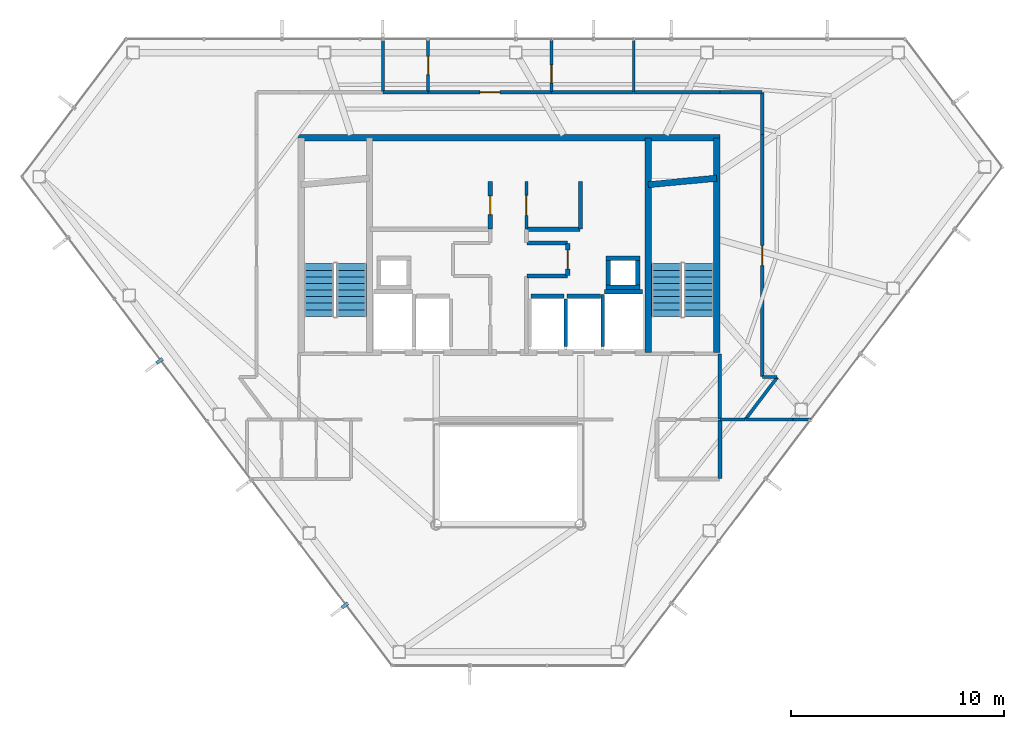
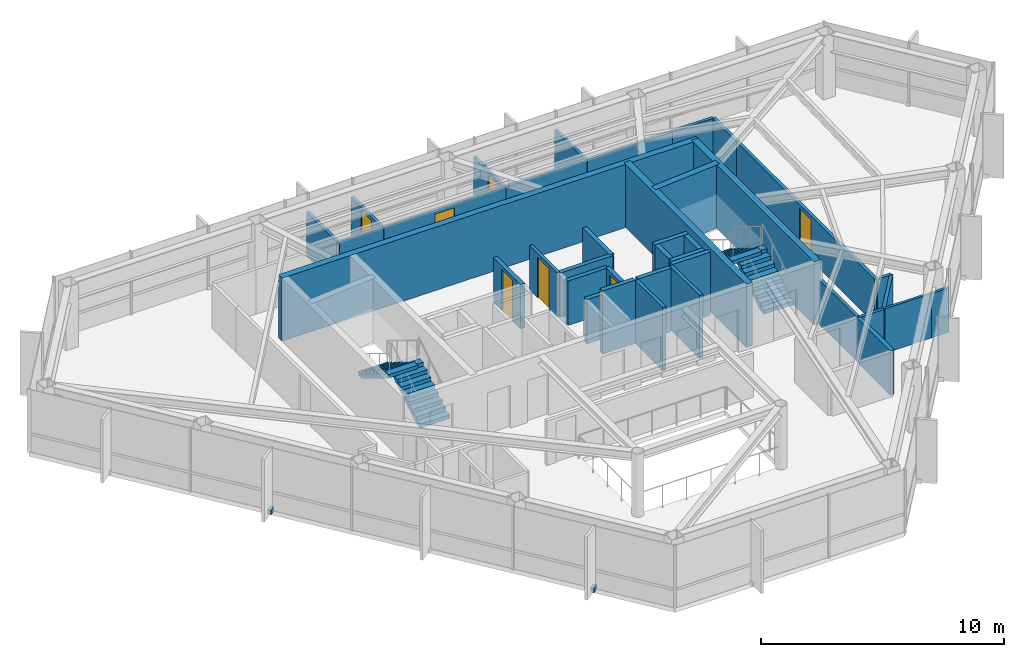
# One storey, part 23 of 25: 38 walls, 7 doors, 4 stair flights, 2 discrete accessories, 7 openings, 2 elements without a shape of their own.
"""IFC4 building model written with IfcOpenShell, lengths in metres."""

from ifc_helpers import new_model, si_unit, direction, frame, frame_2d, origin, origin_2d, place, context, subcontext, project, spatial, polyline, rectangle, outline, extrude, material, layer, layer_set, type_object, element, fill, aggregate, save


model = new_model("IFC4")

# Units and contexts
model_context = context("Model", 3, precision=1e-05, world=origin(), true_north=direction((0.0, 1.0)))
body_context = subcontext(model_context, "Body", "Model", "MODEL_VIEW")
ifc_project = project(units=[si_unit("LENGTHUNIT", "METRE"), si_unit("AREAUNIT", "SQUARE_METRE"), si_unit("VOLUMEUNIT", "CUBIC_METRE"), si_unit("PLANEANGLEUNIT", "RADIAN"), si_unit("MASSUNIT", "GRAM", prefix="KILO")], contexts=[model_context])

# Site, building, storey
site_placement = place(None, origin())
site = spatial("IfcSite", under=ifc_project, at=site_placement, CompositionType="ELEMENT")
building_placement = place(site_placement, origin())
building = spatial("IfcBuilding", under=site, at=building_placement, Name="Zarrinselat Tower", CompositionType="ELEMENT")
storey_placement = place(building_placement, frame((0.0, 0.0, 242.760009765625)))
storey = spatial("IfcBuildingStorey", under=building, at=storey_placement, Name="L61", CompositionType="ELEMENT", Elevation=242.760009765625)

# Wall
ifc_material_1 = material(Name="Concrete C40/50", Category="concrete")
ifc_layer_1 = layer(ifc_material_1, 0.18994140625)
ifc_layer_set_1 = layer_set([ifc_layer_1], Name="Concrete C40/50")
wall_type_1 = type_object("IfcWallType", Name="WAL-PART-EI120", PredefinedType="PARTITIONING", material=ifc_layer_set_1)
wall_1_placement = place(storey_placement, frame((48.35009765625, 27.3701171875, 0.0), z_axis=(0.0, 0.0, 1.0), x_axis=(0.0, 1.0, 0.0)))
element("IfcWall", 1, at=wall_1_placement, inside=storey, type_object=wall_type_1, Name="L61 Partition Wall 25", PredefinedType="PARTITIONING", context=body_context, shape_type="SweptSolid", body=[
    extrude(rectangle(XDim=2.759765625, YDim=0.18994140625, at=frame_2d((1.3798828125, 0.0))), origin(), (0.0, 0.0, 1.0), 2.235107421875),
])

# Wall, opening, door
ifc_material_2 = material(Name="Fire-Rated Gypsum Board Partition", Category="gypsum")
ifc_layer_2 = layer(ifc_material_2, 0.14990234375)
ifc_layer_set_2 = layer_set([ifc_layer_2], Name="Fire-Rated Gypsum Board Partition")
wall_type_2 = type_object("IfcWallType", Name="WAL-PART-EI60", PredefinedType="PARTITIONING", material=ifc_layer_set_2)
wall_2_placement = place(storey_placement, frame((39.25, 39.10498046875, 0.0), z_axis=(0.0, 0.0, 1.0), x_axis=(0.0, 1.0, 0.0)))
wall_2 = element("IfcWall", 2, at=wall_2_placement, inside=storey, type_object=wall_type_2, Name="L61 Partition Wall 12", PredefinedType="PARTITIONING", context=body_context, shape_type="SweptSolid", body=[
    extrude(rectangle(XDim=2.2451171875, YDim=0.14990234375, at=frame_2d((1.12255859375, 0.0))), origin(), (0.0, 0.0, 1.0), 2.235107421875),
])
opening_1_placement = place(wall_2_placement, frame((0.652587890625, 0.0, 0.0)))
opening_1 = element("IfcOpeningElement", 3, at=opening_1_placement, cuts=wall_2, Name="Opening ID-04", PredefinedType="OPENING", context=body_context, shape_type="SweptSolid", body=[
    extrude(rectangle(XDim=0.93994140625, YDim=2.050048828125, at=frame_2d((0.469970703125, 1.02490234375))), frame((0.0, 0.0849609375, 0.0), z_axis=(0.0, -1.0, 0.0), x_axis=(1.0, 0.0, 0.0)), (0.0, 0.0, 1.0), 0.169921875),
])
ifc_material_3 = material(Name="Fire-Rated Gypsum Board Partition")
door_type_1 = type_object("IfcDoorType", Name="DR-INT-FD30-ENT", OperationType="NOTDEFINED", PredefinedType="DOOR", material=ifc_material_3)
door_1_placement = place(opening_1_placement, origin())
door_1 = element("IfcDoor", 4, at=door_1_placement, inside=storey, type_object=door_type_1, Name="L61 Interior Door P12", OperationType="SINGLE_SWING_RIGHT", OverallHeight=2.050048828125, OverallWidth=0.93994140625, PredefinedType="DOOR", context=body_context, shape_type="SweptSolid", body=[
    extrude(rectangle(XDim=0.93994140625, YDim=2.050048828125, at=frame_2d((0.469970703125, 1.02490234375))), frame((0.0, 0.02490234375, 0.0), z_axis=(0.0, -1.0, 0.0), x_axis=(1.0, 0.0, 0.0)), (0.0, 0.0, 1.0), 0.050048828125),
])
fill(opening_1, door_1)

# Walls
wall_3_placement = place(storey_placement, frame((48.35009765625, 30.169921875, 0.0), z_axis=(0.0, 0.0, 1.0), x_axis=(0.0, 1.0, 0.0)))
element("IfcWall", 5, at=wall_3_placement, inside=storey, type_object=wall_type_2, Name="L61 Partition Wall 18", PredefinedType="PARTITIONING", context=body_context, shape_type="SweptSolid", body=[
    extrude(rectangle(XDim=3.06005859375, YDim=0.14990234375, at=frame_2d((1.530029296875, 0.0))), origin(), (0.0, 0.0, 1.0), 2.235107421875),
])
wall_4_placement = place(storey_placement, frame((48.3701171875, 30.14990234375, 0.0), z_axis=(0.0, 0.0, 1.0), x_axis=(1.0, 0.0, 0.0)))
element("IfcWall", 6, at=wall_4_placement, inside=storey, type_object=wall_type_2, Name="L61 Partition Wall 28", PredefinedType="PARTITIONING", context=body_context, shape_type="SweptSolid", body=[
    extrude(rectangle(XDim=1.16015625, YDim=0.14990234375, at=frame_2d((0.580078125, 0.0))), origin(), (0.0, 0.0, 1.0), 2.235107421875),
])
wall_5_placement = place(storey_placement, frame((44.304931640625, 45.550048828125, 0.0), z_axis=(0.0, 0.0, 1.0), x_axis=(1.0, 0.0, 0.0)))
element("IfcWall", 7, at=wall_5_placement, inside=storey, type_object=wall_type_2, Name="L61 Partition Wall 35", PredefinedType="PARTITIONING", context=body_context, shape_type="SweptSolid", body=[
    extrude(rectangle(XDim=4.045166015625, YDim=0.14990234375, at=frame_2d((2.0224609375, 0.0))), origin(), (0.0, 0.0, 1.0), 2.235107421875),
])
for number, where, z_axis, x_axis, name in (
    (8, (48.35009765625, 45.550048828125, 0.0), (0.0, 0.0, 1.0), (1.0, 0.0, 0.0), "L61 Partition Wall 36"),
    (9, (50.35009765625, 43.550048828125, 0.0), (0.0, 0.0, 1.0), (0.0, 1.0, 0.0), "L61 Partition Wall 37"),
):
    element("IfcWall", number, at=place(storey_placement, frame(where, z_axis=z_axis, x_axis=x_axis)), inside=storey, type_object=wall_type_2, Name=name, PredefinedType="PARTITIONING", context=body_context, shape_type="SweptSolid", body=[
        extrude(rectangle(XDim=1.97998046875, YDim=0.14990234375, at=frame_2d((0.989990234375, 0.0))), origin(), (0.0, 0.0, 1.0), 2.235107421875),
    ])

# Wall, opening, door
wall_6_placement = place(storey_placement, frame((50.35009765625, 32.169921875, 0.0), z_axis=(0.0, 0.0, 1.0), x_axis=(0.0, 1.0, 0.0)))
wall_6 = element("IfcWall", 10, at=wall_6_placement, inside=storey, type_object=wall_type_2, Name="L61 Partition Wall 38", PredefinedType="PARTITIONING", context=body_context, shape_type="SweptSolid", body=[
    extrude(rectangle(XDim=11.380126953125, YDim=0.14990234375, at=frame_2d((5.68994140625, 0.0))), origin(), (0.0, 0.0, 1.0), 2.235107421875),
])
opening_2_placement = place(wall_6_placement, frame((5.219970703125, 0.0, 0.0)))
opening_2 = element("IfcOpeningElement", 11, at=opening_2_placement, cuts=wall_6, Name="Opening ID-04", PredefinedType="OPENING", context=body_context, shape_type="SweptSolid", body=[
    extrude(rectangle(XDim=0.93994140625, YDim=2.050048828125, at=frame_2d((0.469970703125, 1.02490234375))), frame((0.0, 0.0849609375, 0.0), z_axis=(0.0, -1.0, 0.0), x_axis=(1.0, 0.0, 0.0)), (0.0, 0.0, 1.0), 0.169921875),
])
door_2_placement = place(opening_2_placement, origin())
door_2 = element("IfcDoor", 12, at=door_2_placement, inside=storey, type_object=door_type_1, Name="L61 Interior Door P38", OperationType="SINGLE_SWING_RIGHT", OverallHeight=2.050048828125, OverallWidth=0.93994140625, PredefinedType="DOOR", context=body_context, shape_type="SweptSolid", body=[
    extrude(rectangle(XDim=0.93994140625, YDim=2.050048828125, at=frame_2d((0.469970703125, 1.02490234375))), frame((0.0, 0.02490234375, 0.0), z_axis=(0.0, -1.0, 0.0), x_axis=(1.0, 0.0, 0.0)), (0.0, 0.0, 1.0), 0.050048828125),
])
fill(opening_2, door_2)

# Walls
wall_7_placement = place(storey_placement, frame((50.3701171875, 32.14990234375, 0.0), z_axis=(0.0, 0.0, 1.0), x_axis=(1.0, 0.0, 0.0)))
element("IfcWall", 13, at=wall_7_placement, inside=storey, type_object=wall_type_2, Name="L61 Partition Wall 39", PredefinedType="PARTITIONING", context=body_context, shape_type="SweptSolid", body=[
    extrude(rectangle(XDim=0.67529296875, YDim=0.14990234375, at=frame_2d((0.337646484375, 0.0))), origin(), (0.0, 0.0, 1.0), 2.235107421875),
])
wall_8_placement = place(storey_placement, frame((49.5625, 30.166015625, 0.0), z_axis=(0.0, 0.0, 1.0), x_axis=(0.603806281462, 0.797131089889, 0.0)))
element("IfcWall", 14, at=wall_8_placement, inside=storey, type_object=wall_type_2, Name="L61 Partition Wall 40", PredefinedType="PARTITIONING", context=body_context, shape_type="SweptSolid", body=[
    extrude(rectangle(XDim=2.468994140625, YDim=0.14990234375, at=frame_2d((1.234375, 0.0))), origin(), (0.0, 0.0, 1.0), 2.235107421875),
])

# Wall, opening, door
wall_9_placement = place(storey_placement, frame((34.62890625, 45.550048828125, 0.0), z_axis=(0.0, 0.0, 1.0), x_axis=(1.0, 0.0, 0.0)))
wall_9 = element("IfcWall", 15, at=wall_9_placement, inside=storey, type_object=wall_type_2, Name="L61 Partition Wall 41", PredefinedType="PARTITIONING", context=body_context, shape_type="SweptSolid", body=[
    extrude(rectangle(XDim=5.795654296875, YDim=0.14990234375, at=frame_2d((2.89794921875, 0.0))), origin(), (0.0, 0.0, 1.0), 2.235107421875),
])
opening_3_placement = place(wall_9_placement, frame((2.427734375, 0.0, 0.0)))
opening_3 = element("IfcOpeningElement", 16, at=opening_3_placement, cuts=wall_9, Name="Opening ID-04", PredefinedType="OPENING", context=body_context, shape_type="SweptSolid", body=[
    extrude(rectangle(XDim=0.93994140625, YDim=2.050048828125, at=frame_2d((0.469970703125, 1.02490234375))), frame((0.0, 0.0849609375, 0.0), z_axis=(0.0, -1.0, 0.0), x_axis=(1.0, 0.0, 0.0)), (0.0, 0.0, 1.0), 0.169921875),
])
door_3_placement = place(opening_3_placement, origin())
door_3 = element("IfcDoor", 17, at=door_3_placement, inside=storey, type_object=door_type_1, Name="L61 Interior Door P41", OperationType="SINGLE_SWING_LEFT", OverallHeight=2.050048828125, OverallWidth=0.93994140625, PredefinedType="DOOR", context=body_context, shape_type="SweptSolid", body=[
    extrude(rectangle(XDim=0.93994140625, YDim=2.050048828125, at=frame_2d((0.469970703125, 1.02490234375))), frame((0.0, 0.02490234375, 0.0), z_axis=(0.0, -1.0, 0.0), x_axis=(1.0, 0.0, 0.0)), (0.0, 0.0, 1.0), 0.050048828125),
])
fill(opening_3, door_3)

# Walls
wall_10_placement = place(storey_placement, frame((40.4345703125, 45.550048828125, 0.0), z_axis=(0.0, 0.0, 1.0), x_axis=(1.0, 0.0, 0.0)))
element("IfcWall", 18, at=wall_10_placement, inside=storey, type_object=wall_type_2, Name="L61 Partition Wall 42", PredefinedType="PARTITIONING", context=body_context, shape_type="SweptSolid", body=[
    extrude(rectangle(XDim=3.8603515625, YDim=0.14990234375, at=frame_2d((1.93017578125, 0.0))), origin(), (0.0, 0.0, 1.0), 2.235107421875),
])
wall_11_placement = place(storey_placement, frame((32.5048828125, 45.550048828125, 0.0), z_axis=(0.0, 0.0, 1.0), x_axis=(1.0, 0.0, 0.0)))
element("IfcWall", 19, at=wall_11_placement, inside=storey, type_object=wall_type_2, Name="L61 Partition Wall 43", PredefinedType="PARTITIONING", context=body_context, shape_type="SweptSolid", body=[
    extrude(rectangle(XDim=2.114013671875, YDim=0.14990234375, at=frame_2d((1.05712890625, 0.0))), origin(), (0.0, 0.0, 1.0), 2.235107421875),
])

# Wall, opening, door
ifc_material_4 = material(Name="Concrete C40/50", Category="concrete")
ifc_layer_3 = layer(ifc_material_4, 0.199951171875)
ifc_layer_set_3 = layer_set([ifc_layer_3], Name="Concrete C40/50")
wall_type_3 = type_object("IfcWallType", Name="WAL-PART-PLANT", PredefinedType="PARTITIONING", material=ifc_layer_set_3)
wall_12_placement = place(storey_placement, frame((37.550048828125, 39.10498046875, 0.0), z_axis=(0.0, 0.0, 1.0), x_axis=(0.0, 1.0, 0.0)))
wall_12 = element("IfcWall", 20, at=wall_12_placement, inside=storey, type_object=wall_type_3, Name="L61 Partition Wall 6", PredefinedType="PARTITIONING", context=body_context, shape_type="SweptSolid", body=[
    extrude(rectangle(XDim=2.2451171875, YDim=0.199951171875, at=frame_2d((1.12255859375, 0.0))), origin(), (0.0, 0.0, 1.0), 2.235107421875),
])
opening_4_placement = place(wall_12_placement, frame((0.6826171875, 0.0, 0.0)))
opening_4 = element("IfcOpeningElement", 21, at=opening_4_placement, cuts=wall_12, Name="Opening ID-03", PredefinedType="OPENING", context=body_context, shape_type="SweptSolid", body=[
    extrude(rectangle(XDim=0.8798828125, YDim=2.050048828125, at=frame_2d((0.43994140625, 1.02490234375))), frame((0.0, 0.10986328125, 0.0), z_axis=(0.0, -1.0, 0.0), x_axis=(1.0, 0.0, 0.0)), (0.0, 0.0, 1.0), 0.219970703125),
])
ifc_material_5 = material(Name="Steel S355J2", Category="steel")
door_type_2 = type_object("IfcDoorType", Name="DR-INT-FD60-S", OperationType="NOTDEFINED", PredefinedType="DOOR", material=ifc_material_5)
door_4_placement = place(opening_4_placement, origin())
door_4 = element("IfcDoor", 22, at=door_4_placement, inside=storey, type_object=door_type_2, Name="L61 Interior Door P6", OperationType="SINGLE_SWING_RIGHT", OverallHeight=2.050048828125, OverallWidth=0.8798828125, PredefinedType="DOOR", context=body_context, shape_type="SweptSolid", body=[
    extrude(rectangle(XDim=0.8798828125, YDim=2.050048828125, at=frame_2d((0.43994140625, 1.02490234375))), frame((0.0, 0.02490234375, 0.0), z_axis=(0.0, -1.0, 0.0), x_axis=(1.0, 0.0, 0.0)), (0.0, 0.0, 1.0), 0.050048828125),
])
fill(opening_4, door_4)

# Wall
wall_13_placement = place(storey_placement, frame((39.27001953125, 38.449951171875, 0.0), z_axis=(0.0, 0.0, 1.0), x_axis=(1.0, 0.0, 0.0)))
element("IfcWall", 23, at=wall_13_placement, inside=storey, type_object=wall_type_3, Name="L61 Partition Wall 8", PredefinedType="PARTITIONING", context=body_context, shape_type="SweptSolid", body=[
    extrude(rectangle(XDim=1.909912109375, YDim=0.199951171875, at=frame_2d((0.955078125, 0.0))), origin(), (0.0, 0.0, 1.0), 2.235107421875),
])

# Wall, opening, door
wall_14_placement = place(storey_placement, frame((41.199951171875, 36.919921875, 0.0), z_axis=(0.0, 0.0, 1.0), x_axis=(0.0, 1.0, 0.0)))
wall_14 = element("IfcWall", 24, at=wall_14_placement, inside=storey, type_object=wall_type_3, Name="L61 Partition Wall 9", PredefinedType="PARTITIONING", context=body_context, shape_type="SweptSolid", body=[
    extrude(rectangle(XDim=1.510009765625, YDim=0.199951171875, at=frame_2d((0.7548828125, 0.0))), origin(), (0.0, 0.0, 1.0), 2.235107421875),
])
opening_5_placement = place(wall_14_placement, frame((0.31494140625, 0.0, 0.0)))
opening_5 = element("IfcOpeningElement", 25, at=opening_5_placement, cuts=wall_14, Name="Opening ID-03", PredefinedType="OPENING", context=body_context, shape_type="SweptSolid", body=[
    extrude(rectangle(XDim=0.8798828125, YDim=2.050048828125, at=frame_2d((0.43994140625, 1.02490234375))), frame((0.0, 0.10986328125, 0.0), z_axis=(0.0, -1.0, 0.0), x_axis=(1.0, 0.0, 0.0)), (0.0, 0.0, 1.0), 0.219970703125),
])
door_5_placement = place(opening_5_placement, origin())
door_5 = element("IfcDoor", 26, at=door_5_placement, inside=storey, type_object=door_type_2, Name="L61 Interior Door P9", OperationType="SINGLE_SWING_LEFT", OverallHeight=2.050048828125, OverallWidth=0.8798828125, PredefinedType="DOOR", context=body_context, shape_type="SweptSolid", body=[
    extrude(rectangle(XDim=0.8798828125, YDim=2.050048828125, at=frame_2d((0.43994140625, 1.02490234375))), frame((0.0, 0.02490234375, 0.0), z_axis=(0.0, -1.0, 0.0), x_axis=(1.0, 0.0, 0.0)), (0.0, 0.0, 1.0), 0.050048828125),
])
fill(opening_5, door_5)

# Walls
wall_15_placement = place(storey_placement, frame((39.27001953125, 36.89990234375, 0.0), z_axis=(0.0, 0.0, 1.0), x_axis=(1.0, 0.0, 0.0)))
element("IfcWall", 27, at=wall_15_placement, inside=storey, type_object=wall_type_3, Name="L61 Partition Wall 10", PredefinedType="PARTITIONING", context=body_context, shape_type="SweptSolid", body=[
    extrude(rectangle(XDim=1.909912109375, YDim=0.199951171875, at=frame_2d((0.955078125, 0.0))), origin(), (0.0, 0.0, 1.0), 2.235107421875),
])
wall_16_placement = place(storey_placement, frame((39.27001953125, 39.10009765625, 0.0), z_axis=(0.0, 0.0, 1.0), x_axis=(1.0, 0.0, 0.0)))
element("IfcWall", 28, at=wall_16_placement, inside=storey, type_object=wall_type_3, Name="L61 Partition Wall 14", PredefinedType="PARTITIONING", context=body_context, shape_type="SweptSolid", body=[
    extrude(rectangle(XDim=2.510009765625, YDim=0.199951171875, at=frame_2d((1.2548828125, 0.0))), origin(), (0.0, 0.0, 1.0), 2.235107421875),
])
wall_17_placement = place(storey_placement, frame((41.800048828125, 39.1201171875, 0.0), z_axis=(0.0, 0.0, 1.0), x_axis=(0.0, 1.0, 0.0)))
element("IfcWall", 29, at=wall_17_placement, inside=storey, type_object=wall_type_3, Name="L61 Partition Wall 15", PredefinedType="PARTITIONING", context=body_context, shape_type="SweptSolid", body=[
    extrude(rectangle(XDim=2.22998046875, YDim=0.199951171875, at=frame_2d((1.114990234375, 0.0))), origin(), (0.0, 0.0, 1.0), 2.235107421875),
])
ifc_material_6 = material(Name="Fire-Rated Gypsum Board Partition", Category="gypsum")
ifc_layer_4 = layer(ifc_material_6, 0.1201171875)
ifc_layer_set_4 = layer_set([ifc_layer_4], Name="Fire-Rated Gypsum Board Partition")
wall_type_4 = type_object("IfcWallType", Name="WAL-PART-STD", PredefinedType="PARTITIONING", material=ifc_layer_set_4)
wall_18_placement = place(storey_placement, frame((49.5703125, 30.14990234375, 0.0), z_axis=(0.0, 0.0, 1.0), x_axis=(1.0, 0.0, 0.0)))
element("IfcWall", 30, at=wall_18_placement, inside=storey, type_object=wall_type_4, Name="L61 Partition Wall 52", PredefinedType="PARTITIONING", context=body_context, shape_type="SweptSolid", body=[
    extrude(rectangle(XDim=2.229736328125, YDim=0.1201171875, at=frame_2d((1.11474609375, 0.0))), origin(), (0.0, 0.0, 1.0), 2.235107421875),
])
wall_19_placement = place(storey_placement, frame((51.800048828125, 30.14990234375, 0.0), z_axis=(0.0, 0.0, 1.0), x_axis=(1.0, 0.0, 0.0)))
element("IfcWall", 31, at=wall_19_placement, inside=storey, type_object=wall_type_4, Name="L61 Partition Wall 53", PredefinedType="PARTITIONING", context=body_context, shape_type="SweptSolid", body=[
    extrude(rectangle(XDim=0.821533203125, YDim=0.1201171875, at=frame_2d((0.41064453125, 0.0))), origin(), (0.0, 0.0, 1.0), 2.235107421875),
])
ifc_material_7 = material(Name="Fire-Rated Gypsum Board Partition", Category="gypsum")
ifc_layer_5 = layer(ifc_material_7, 0.135009765625)
ifc_layer_set_5 = layer_set([ifc_layer_5], Name="Fire-Rated Gypsum Board Partition")
wall_type_5 = type_object("IfcWallType", Name="WAL-PART-WET", PredefinedType="PARTITIONING", material=ifc_layer_set_5)
for number, where, z_axis, x_axis, name in (
    (32, (32.5, 45.570068359375, 0.0), (0.0, 0.0, 1.0), (0.0, 1.0, 0.0), "L61 Partition Wall 54"),
    (33, (44.300048828125, 45.570068359375, 0.0), (0.0, 0.0, 1.0), (0.0, 1.0, 0.0), "L61 Partition Wall 55"),
):
    element("IfcWall", number, at=place(storey_placement, frame(where, z_axis=z_axis, x_axis=x_axis)), inside=storey, type_object=wall_type_5, Name=name, PredefinedType="PARTITIONING", context=body_context, shape_type="SweptSolid", body=[
        extrude(rectangle(XDim=2.47607421875, YDim=0.135009765625, at=frame_2d((1.238037109375, 0.0))), origin(), (0.0, 0.0, 1.0), 2.235107421875),
    ])

# Wall, opening, door
wall_20_placement = place(storey_placement, frame((40.4296875, 45.570068359375, 0.0), z_axis=(0.0, 0.0, 1.0), x_axis=(0.0, 1.0, 0.0)))
wall_20 = element("IfcWall", 34, at=wall_20_placement, inside=storey, type_object=wall_type_5, Name="L61 Partition Wall 56", PredefinedType="PARTITIONING", context=body_context, shape_type="SweptSolid", body=[
    extrude(rectangle(XDim=2.47607421875, YDim=0.135009765625, at=frame_2d((1.238037109375, 0.0))), origin(), (0.0, 0.0, 1.0), 2.235107421875),
])
opening_6_placement = place(wall_20_placement, frame((0.408203125, 0.0, 0.0)))
opening_6 = element("IfcOpeningElement", 35, at=opening_6_placement, cuts=wall_20, Name="Opening ID-06", PredefinedType="OPENING", context=body_context, shape_type="SweptSolid", body=[
    extrude(rectangle(XDim=0.860107421875, YDim=2.050048828125, at=frame_2d((0.43017578125, 1.02490234375))), frame((0.0, 0.077392578125, 0.0), z_axis=(0.0, -1.0, 0.0), x_axis=(1.0, 0.0, 0.0)), (0.0, 0.0, 1.0), 0.155029296875),
])
ifc_material_8 = material(Name="Extruded Aluminium Alloy EN AW-6063 T6", Category="aluminium")
door_type_3 = type_object("IfcDoorType", Name="DR-INT-WET-900", OperationType="NOTDEFINED", PredefinedType="DOOR", material=ifc_material_8)
door_6_placement = place(opening_6_placement, origin())
door_6 = element("IfcDoor", 36, at=door_6_placement, inside=storey, type_object=door_type_3, Name="L61 Interior Door P56", OperationType="SINGLE_SWING_RIGHT", OverallHeight=2.050048828125, OverallWidth=0.860107421875, PredefinedType="DOOR", context=body_context, shape_type="SweptSolid", body=[
    extrude(rectangle(XDim=0.860107421875, YDim=2.050048828125, at=frame_2d((0.43017578125, 1.02490234375))), frame((0.0, 0.02490234375, 0.0), z_axis=(0.0, -1.0, 0.0), x_axis=(1.0, 0.0, 0.0)), (0.0, 0.0, 1.0), 0.050048828125),
])
fill(opening_6, door_6)

wall_21_placement = place(storey_placement, frame((34.6240234375, 45.570068359375, 0.0), z_axis=(0.0, 0.0, 1.0), x_axis=(0.0, 1.0, 0.0)))
wall_21 = element("IfcWall", 37, at=wall_21_placement, inside=storey, type_object=wall_type_5, Name="L61 Partition Wall 57", PredefinedType="PARTITIONING", context=body_context, shape_type="SweptSolid", body=[
    extrude(rectangle(XDim=2.47607421875, YDim=0.135009765625, at=frame_2d((1.238037109375, 0.0))), origin(), (0.0, 0.0, 1.0), 2.235107421875),
])
opening_7_placement = place(wall_21_placement, frame((0.80810546875, 0.0, 0.0)))
opening_7 = element("IfcOpeningElement", 38, at=opening_7_placement, cuts=wall_21, Name="Opening ID-06", PredefinedType="OPENING", context=body_context, shape_type="SweptSolid", body=[
    extrude(rectangle(XDim=0.860107421875, YDim=2.050048828125, at=frame_2d((0.43017578125, 1.02490234375))), frame((0.0, 0.077392578125, 0.0), z_axis=(0.0, -1.0, 0.0), x_axis=(1.0, 0.0, 0.0)), (0.0, 0.0, 1.0), 0.155029296875),
])
door_7_placement = place(opening_7_placement, origin())
door_7 = element("IfcDoor", 39, at=door_7_placement, inside=storey, type_object=door_type_3, Name="L61 Interior Door P57", OperationType="SINGLE_SWING_LEFT", OverallHeight=2.050048828125, OverallWidth=0.860107421875, PredefinedType="DOOR", context=body_context, shape_type="SweptSolid", body=[
    extrude(rectangle(XDim=0.860107421875, YDim=2.050048828125, at=frame_2d((0.43017578125, 1.02490234375))), frame((0.0, 0.02490234375, 0.0), z_axis=(0.0, -1.0, 0.0), x_axis=(1.0, 0.0, 0.0)), (0.0, 0.0, 1.0), 0.050048828125),
])
fill(opening_7, door_7)

# Walls
ifc_material_9 = material(Name="Concrete C40/50", Category="concrete")
ifc_layer_6 = layer(ifc_material_9, 0.2099609375)
ifc_layer_set_6 = layer_set([ifc_layer_6], Name="Concrete C40/50")
wall_type_6 = type_object("IfcWallType", Name="WAL-SHAFT-210", PredefinedType="SOLIDWALL", material=ifc_layer_set_6)
wall_22_placement = place(storey_placement, frame((42.919921875, 36.155029296875, 0.0), z_axis=(0.0, 0.0, 1.0), x_axis=(1.0, 0.0, 0.0)))
element("IfcWall", 40, at=wall_22_placement, inside=storey, type_object=wall_type_6, Name="L61 Lift FFL2 North Shaft Wall", PredefinedType="SOLIDWALL", context=body_context, shape_type="SweptSolid", body=[
    extrude(rectangle(XDim=1.800048828125, YDim=0.2099609375, at=frame_2d((0.89990234375, 0.0))), origin(), (0.0, 0.0, 1.0), 3.179931640625),
])
wall_23_placement = place(storey_placement, frame((42.85009765625, 33.580078125, 0.0), z_axis=(0.0, 0.0, 1.0), x_axis=(0.0, 1.0, 0.0)))
element("IfcWall", 41, at=wall_23_placement, inside=storey, type_object=wall_type_6, Name="L61 Lift FFL2 W Shaft Wall", PredefinedType="SOLIDWALL", context=body_context, shape_type="SweptSolid", body=[
    extrude(rectangle(XDim=2.449951171875, YDim=0.159912109375, at=frame_2d((1.22509765625, 0.0))), origin(), (0.0, 0.0, 1.0), 3.179931640625),
])
wall_24_placement = place(storey_placement, frame((39.469970703125, 35.955078125, 0.0), z_axis=(0.0, 0.0, 1.0), x_axis=(1.0, 0.0, 0.0)))
element("IfcWall", 42, at=wall_24_placement, inside=storey, type_object=wall_type_6, Name="L61 Lift PL8 North Shaft Wall", PredefinedType="SOLIDWALL", context=body_context, shape_type="SweptSolid", body=[
    extrude(rectangle(XDim=1.56005859375, YDim=0.2099609375, at=frame_2d((0.780029296875, 0.0))), origin(), (0.0, 0.0, 1.0), 3.179931640625),
])
wall_25_placement = place(storey_placement, frame((41.10009765625, 33.580078125, 0.0), z_axis=(0.0, 0.0, 1.0), x_axis=(0.0, 1.0, 0.0)))
element("IfcWall", 43, at=wall_25_placement, inside=storey, type_object=wall_type_6, Name="L61 Lift PL8 E Shaft Wall", PredefinedType="SOLIDWALL", context=body_context, shape_type="SweptSolid", body=[
    extrude(rectangle(XDim=2.25, YDim=0.159912109375, at=frame_2d((1.125, 0.0))), origin(), (0.0, 0.0, 1.0), 3.179931640625),
])
wall_26_placement = place(storey_placement, frame((41.169921875, 35.955078125, 0.0), z_axis=(0.0, 0.0, 1.0), x_axis=(1.0, 0.0, 0.0)))
element("IfcWall", 44, at=wall_26_placement, inside=storey, type_object=wall_type_6, Name="L61 Lift PL9 North Shaft Wall", PredefinedType="SOLIDWALL", context=body_context, shape_type="SweptSolid", body=[
    extrude(rectangle(XDim=1.56005859375, YDim=0.2099609375, at=frame_2d((0.780029296875, 0.0))), origin(), (0.0, 0.0, 1.0), 3.179931640625),
])
for number, where, z_axis, x_axis, name in (
    (45, (42.989990234375, 36.375, 0.0), (0.0, 0.0, 1.0), (1.0, 0.0, 0.0), "L61 Core Riser RSR-E S Shaft Wall"),
    (46, (42.989990234375, 37.7451171875, 0.0), (0.0, 0.0, 1.0), (1.0, 0.0, 0.0), "L61 Core Riser RSR-E N Shaft Wall"),
):
    element("IfcWall", number, at=place(storey_placement, frame(where, z_axis=z_axis, x_axis=x_axis)), inside=storey, type_object=wall_type_6, Name=name, PredefinedType="SOLIDWALL", context=body_context, shape_type="SweptSolid", body=[
        extrude(rectangle(XDim=1.60009765625, YDim=0.2099609375, at=frame_2d((0.800048828125, 0.0))), origin(), (0.0, 0.0, 1.0), 3.179931640625),
    ])
for number, where, z_axis, x_axis, name in (
    (47, (43.094970703125, 36.485107421875, 0.0), (0.0, 0.0, 1.0), (0.0, 1.0, 0.0), "L61 Core Riser RSR-E W Shaft Wall"),
    (48, (44.485107421875, 36.485107421875, 0.0), (0.0, 0.0, 1.0), (0.0, 1.0, 0.0), "L61 Core Riser RSR-E E Shaft Wall"),
):
    element("IfcWall", number, at=place(storey_placement, frame(where, z_axis=z_axis, x_axis=x_axis)), inside=storey, type_object=wall_type_6, Name=name, PredefinedType="SOLIDWALL", context=body_context, shape_type="SweptSolid", body=[
        extrude(rectangle(XDim=1.14990234375, YDim=0.2099609375, at=frame_2d((0.574951171875, 0.0))), origin(), (0.0, 0.0, 1.0), 3.179931640625),
    ])
ifc_material_10 = material(Name="Concrete C40/50", Category="concrete")
ifc_layer_7 = layer(ifc_material_10, 0.300048828125)
ifc_layer_set_7 = layer_set([ifc_layer_7], Name="Concrete C40/50")
wall_type_7 = type_object("IfcWallType", Name="WAL-SHEAR-300", PredefinedType="SHEAR", material=ifc_layer_set_7)
wall_27_placement = place(storey_placement, frame((28.5, 43.39990234375, 0.0), z_axis=(0.0, 0.0, 1.0), x_axis=(1.0, 0.0, 0.0)))
element("IfcWall", 49, at=wall_27_placement, inside=storey, type_object=wall_type_7, Name="L61 North Core Shear Wall", PredefinedType="SHEAR", context=body_context, shape_type="SweptSolid", body=[
    extrude(rectangle(XDim=19.860107421875, YDim=0.300048828125, at=frame_2d((9.93017578125, 0.0))), origin(), (0.0, 0.0, 1.0), 3.179931640625),
])
for number, where, z_axis, x_axis, name in (
    (50, (44.989990234375, 33.300048828125, 0.0), (0.0, 0.0, 1.0), (0.0, 1.0, 0.0), "L61 Core Shear Wall ST2W"),
    (51, (48.2099609375, 33.300048828125, 0.0), (0.0, 0.0, 1.0), (0.0, 1.0, 0.0), "L61 Core Shear Wall E"),
):
    element("IfcWall", number, at=place(storey_placement, frame(where, z_axis=z_axis, x_axis=x_axis)), inside=storey, type_object=wall_type_7, Name=name, PredefinedType="SHEAR", context=body_context, shape_type="SweptSolid", body=[
        extrude(rectangle(XDim=10.099853515625, YDim=0.300048828125, at=frame_2d((5.0498046875, 0.0))), origin(), (0.0, 0.0, 1.0), 3.179931640625),
    ])
wall_28_placement = place(storey_placement, frame((44.97998046875, 41.199951171875, 0.0), z_axis=(0.0, 0.0, 1.0), x_axis=(0.995686468965, 0.09278176286, 0.0)))
element("IfcWall", 52, at=wall_28_placement, inside=storey, type_object=wall_type_7, Name="L61 Stair 2 North Shaft Wall", PredefinedType="SHEAR", context=body_context, shape_type="SweptSolid", body=[
    extrude(rectangle(XDim=3.23388671875, YDim=0.300048828125, at=frame_2d((1.616943359375, 0.0))), origin(), (0.0, 0.0, 1.0), 3.179931640625),
])

# Stair, stair flights
ifc_material_11 = material(Name="Concrete C40/50", Category="concrete")
stair_type = type_object("IfcStairType", Name="STR-CORE-155", PredefinedType="HALF_TURN_STAIR", material=ifc_material_11)
stair_1_placement = place(storey_placement, origin())
stair_1 = element("IfcStair", 53, at=stair_1_placement, inside=storey, type_object=stair_type, Name="L61 Core Exit Stair 1", PredefinedType="HALF_TURN_STAIR")
ifc_material_12 = material(Name="Concrete C40/50", Category="concrete")
stair_flight_type = type_object("IfcStairFlightType", Name="STR-FLT-155", PredefinedType="STRAIGHT", material=ifc_material_12)
stair_flight_1_placement = place(storey_placement, frame((31.02001953125, 35.0, 0.0), z_axis=(0.0, 0.0, 1.0), x_axis=(0.0, 1.0, 0.0)))
stair_flight_1 = element("IfcStairFlight", 54, at=stair_flight_1_placement, type_object=stair_flight_type, Name="ST-1 flight 1", NumberOfRisers=9, NumberOfTreads=8, PredefinedType="STRAIGHT", RiserHeight=0.188888889, TreadLength=0.31, context=body_context, shape_type="SweptSolid", body=[
    extrude(outline(polyline([(0.0, 0.0), (0.0, 0.18896484375), (0.31005859375, 0.18896484375), (0.31005859375, 0.377685546875), (0.6201171875, 0.377685546875), (0.6201171875, 0.566650390625), (0.929931640625, 0.566650390625), (0.929931640625, 0.755615234375), (1.239990234375, 0.755615234375), (1.239990234375, 0.9443359375), (1.550048828125, 0.9443359375), (1.550048828125, 1.13330078125), (1.860107421875, 1.13330078125), (1.860107421875, 1.322265625), (2.169921875, 1.322265625), (2.169921875, 1.51123046875), (2.47998046875, 1.51123046875), (2.47998046875, 1.699951171875), (2.47998046875, 1.335693359375), (0.2880859375, 0.0), (0.0, 0.0)])), frame((0.0, 0.699951171875, 0.0), z_axis=(0.0, -1.0, 0.0), x_axis=(1.0, 0.0, 0.0)), (0.0, 0.0, 1.0), 1.39990234375),
])
stair_flight_2_placement = place(storey_placement, frame((29.5, 37.47998046875, 1.699951171875), z_axis=(0.0, 0.0, 1.0), x_axis=(0.0, -1.0, 0.0)))
stair_flight_2 = element("IfcStairFlight", 55, at=stair_flight_2_placement, type_object=stair_flight_type, Name="ST-1 flight 2", NumberOfRisers=9, NumberOfTreads=8, PredefinedType="STRAIGHT", RiserHeight=0.188888889, TreadLength=0.31, context=body_context, shape_type="SweptSolid", body=[
    extrude(outline(polyline([(0.0, 0.0), (0.0, 0.18896484375), (0.31005859375, 0.18896484375), (0.31005859375, 0.377685546875), (0.6201171875, 0.377685546875), (0.6201171875, 0.566650390625), (0.929931640625, 0.566650390625), (0.929931640625, 0.755615234375), (1.239990234375, 0.755615234375), (1.239990234375, 0.9443359375), (1.550048828125, 0.9443359375), (1.550048828125, 1.13330078125), (1.860107421875, 1.13330078125), (1.860107421875, 1.322265625), (2.169921875, 1.322265625), (2.169921875, 1.51123046875), (2.47998046875, 1.51123046875), (2.47998046875, 1.699951171875), (2.47998046875, 1.335693359375), (0.2880859375, 0.0), (0.0, 0.0)])), frame((0.0, 0.699951171875, 0.0), z_axis=(0.0, -1.0, 0.0), x_axis=(1.0, 0.0, 0.0)), (0.0, 0.0, 1.0), 1.39990234375),
])
aggregate(stair_1, [stair_flight_1, stair_flight_2])

stair_2_placement = place(storey_placement, origin())
stair_2 = element("IfcStair", 56, at=stair_2_placement, inside=storey, type_object=stair_type, Name="L61 Core Exit Stair 2", PredefinedType="HALF_TURN_STAIR")
stair_flight_3_placement = place(storey_placement, frame((47.360107421875, 35.0, 0.0), z_axis=(0.0, 0.0, 1.0), x_axis=(0.0, 1.0, 0.0)))
stair_flight_3 = element("IfcStairFlight", 57, at=stair_flight_3_placement, type_object=stair_flight_type, Name="ST-2 flight 1", NumberOfRisers=9, NumberOfTreads=8, PredefinedType="STRAIGHT", RiserHeight=0.188888889, TreadLength=0.31, context=body_context, shape_type="SweptSolid", body=[
    extrude(outline(polyline([(0.0, 0.0), (0.0, 0.18896484375), (0.31005859375, 0.18896484375), (0.31005859375, 0.377685546875), (0.6201171875, 0.377685546875), (0.6201171875, 0.566650390625), (0.929931640625, 0.566650390625), (0.929931640625, 0.755615234375), (1.239990234375, 0.755615234375), (1.239990234375, 0.9443359375), (1.550048828125, 0.9443359375), (1.550048828125, 1.13330078125), (1.860107421875, 1.13330078125), (1.860107421875, 1.322265625), (2.169921875, 1.322265625), (2.169921875, 1.51123046875), (2.47998046875, 1.51123046875), (2.47998046875, 1.699951171875), (2.47998046875, 1.335693359375), (0.2880859375, 0.0), (0.0, 0.0)])), frame((0.0, 0.699951171875, 0.0), z_axis=(0.0, -1.0, 0.0), x_axis=(1.0, 0.0, 0.0)), (0.0, 0.0, 1.0), 1.39990234375),
])
stair_flight_4_placement = place(storey_placement, frame((45.840087890625, 37.47998046875, 1.699951171875), z_axis=(0.0, 0.0, 1.0), x_axis=(0.0, -1.0, 0.0)))
stair_flight_4 = element("IfcStairFlight", 58, at=stair_flight_4_placement, type_object=stair_flight_type, Name="ST-2 flight 2", NumberOfRisers=9, NumberOfTreads=8, PredefinedType="STRAIGHT", RiserHeight=0.188888889, TreadLength=0.31, context=body_context, shape_type="SweptSolid", body=[
    extrude(outline(polyline([(0.0, 0.0), (0.0, 0.18896484375), (0.31005859375, 0.18896484375), (0.31005859375, 0.377685546875), (0.6201171875, 0.377685546875), (0.6201171875, 0.566650390625), (0.929931640625, 0.566650390625), (0.929931640625, 0.755615234375), (1.239990234375, 0.755615234375), (1.239990234375, 0.9443359375), (1.550048828125, 0.9443359375), (1.550048828125, 1.13330078125), (1.860107421875, 1.13330078125), (1.860107421875, 1.322265625), (2.169921875, 1.322265625), (2.169921875, 1.51123046875), (2.47998046875, 1.51123046875), (2.47998046875, 1.699951171875), (2.47998046875, 1.335693359375), (0.2880859375, 0.0), (0.0, 0.0)])), frame((0.0, 0.699951171875, 0.0), z_axis=(0.0, -1.0, 0.0), x_axis=(1.0, 0.0, 0.0)), (0.0, 0.0, 1.0), 1.39990234375),
])
aggregate(stair_2, [stair_flight_3, stair_flight_4])

# Discrete accessories
ifc_material_13 = material(Name="Steel S355J2", Category="steel")
discrete_accessory_type = type_object("IfcDiscreteAccessoryType", Name="ACC-FIN-BRACKET", PredefinedType="BRACKET", material=ifc_material_13)
for number, where, z_axis, x_axis, name in (
    (59, (21.98974609375, 32.903564453125, -0.0498046875), (0.0, 0.0, 1.0), (-0.797091996588, -0.603857888062, 0.0), "L61 Fin Fixing Bracket CW-L61-E03-03"),
    (60, (30.706787109375, 21.39697265625, -0.0498046875), (0.0, 0.0, 1.0), (-0.797091996588, -0.603857888062, 0.0), "L61 Fin Fixing Bracket CW-L61-E03-07"),
):
    element("IfcDiscreteAccessory", number, at=place(storey_placement, frame(where, z_axis=z_axis, x_axis=x_axis)), inside=storey, type_object=discrete_accessory_type, Name=name, PredefinedType="BRACKET", context=body_context, shape_type="SweptSolid", body=[
        extrude(rectangle(XDim=0.340087890625, YDim=0.159912109375, at=origin_2d()), origin(), (0.0, 0.0, 1.0), 0.219970703125),
    ])

save(model, "model.ifc")
